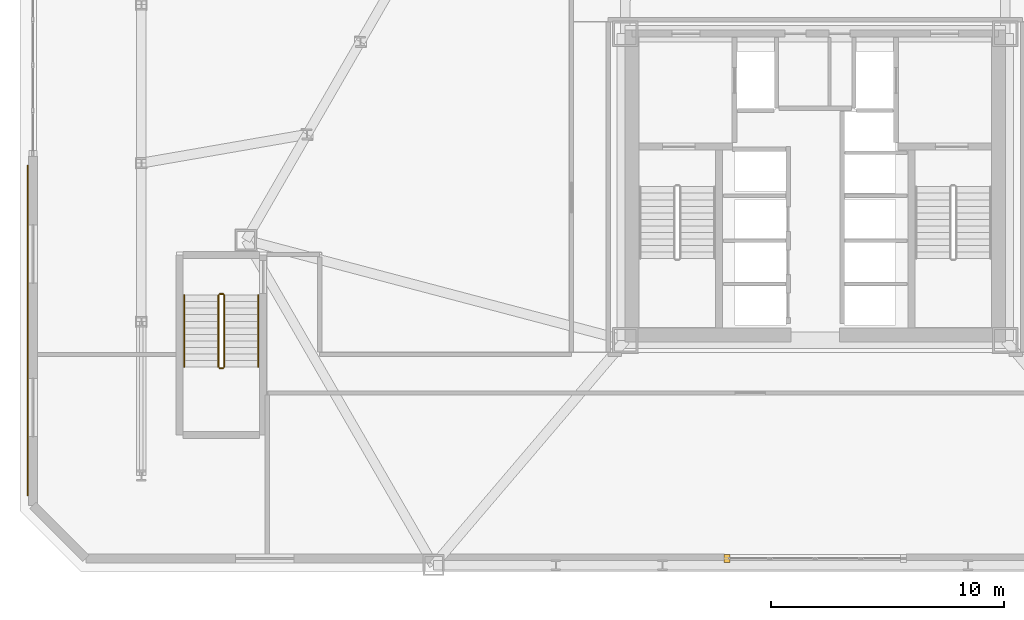
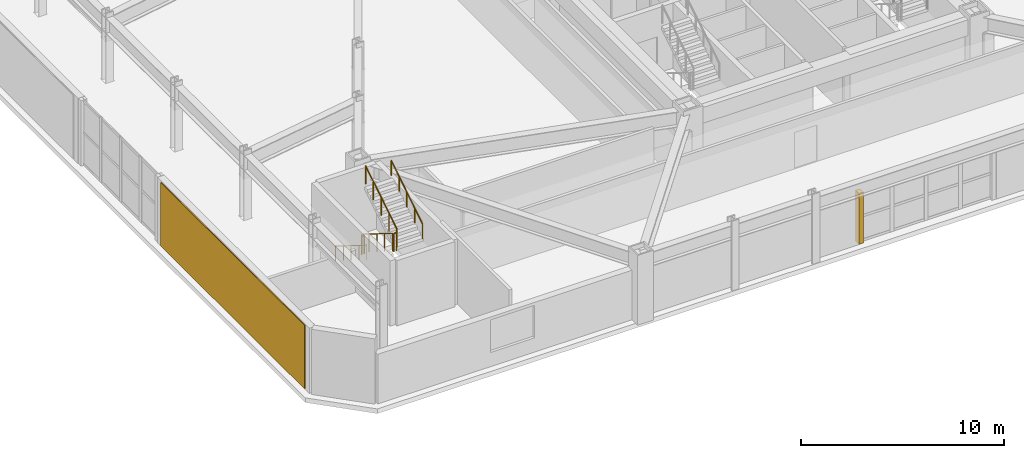
# One storey, part 17 of 22: 6 railings, 2 coverings.
"""IFC4 building model written with IfcOpenShell, lengths in metres."""

from ifc_helpers import new_model, si_unit, direction, frame, origin, origin_2d, place, context, subcontext, project, spatial, rectangle, circle, extrude, material, layer, layer_set, type_object, element, save


model = new_model("IFC4")

# Units and contexts
model_context = context("Model", 3, precision=1e-05, world=origin(), true_north=direction((0.0, 1.0)))
body_context = subcontext(model_context, "Body", "Model", "MODEL_VIEW")
ifc_project = project(units=[si_unit("LENGTHUNIT", "METRE"), si_unit("AREAUNIT", "SQUARE_METRE"), si_unit("VOLUMEUNIT", "CUBIC_METRE"), si_unit("PLANEANGLEUNIT", "RADIAN"), si_unit("MASSUNIT", "GRAM", prefix="KILO")], contexts=[model_context])

# Site, building, storey
site_placement = place(None, origin())
site = spatial("IfcSite", under=ifc_project, at=site_placement, CompositionType="ELEMENT")
building_placement = place(site_placement, origin())
building = spatial("IfcBuilding", under=site, at=building_placement, Name="Oramaril Tower", CompositionType="ELEMENT")
storey_placement = place(building_placement, frame((0.0, 0.0, 14.10009765625)))
storey = spatial("IfcBuildingStorey", under=building, at=storey_placement, Name="L03", CompositionType="ELEMENT", Elevation=14.10009765625)

# Coverings
ifc_material_1 = material(Name="Warm Cream Limestone", Category="masonry")
ifc_layer = layer(ifc_material_1, 0.050048828125)
ifc_layer_set = layer_set([ifc_layer], Name="CVT-CLD")
covering_type = type_object("IfcCoveringType", Name="CVT-CLD", PredefinedType="CLADDING", material=ifc_layer_set)
covering_1_placement = place(storey_placement, frame((33.719970703125, 1.64990234375, 0.0), z_axis=(0.0, 0.0, 1.0), x_axis=(1.0, 0.0, 0.0)))
element("IfcCovering", 1, at=covering_1_placement, inside=storey, type_object=covering_type, Name="L03 Curtain Wall Limestone Jamb Closure", PredefinedType="CLADDING", context=body_context, shape_type="SweptSolid", body=[
    extrude(rectangle(XDim=0.260009765625, YDim=0.340087890625, at=origin_2d()), origin(), (0.0, 0.0, 1.0), 3.053955078125),
])
covering_2_placement = place(storey_placement, frame((3.737060546875, 11.413818359375, 0.0498046875), z_axis=(0.0, 0.0, 1.0), x_axis=(0.0, -1.0, 0.0)))
element("IfcCovering", 2, at=covering_2_placement, inside=storey, type_object=covering_type, Name="L03 Warm Cream Limestone Cladding", PredefinedType="CLADDING", context=body_context, shape_type="SweptSolid", body=[
    extrude(rectangle(XDim=14.172119140625, YDim=0.050048828125, at=origin_2d()), origin(), (0.0, 0.0, 1.0), 3.820068359375),
])

# Railings
ifc_material_2 = material(Name="Stainless Steel 316L", Category="steel")
railing_type_1 = type_object("IfcRailingType", Name="RLT-GRD", PredefinedType="GUARDRAIL", material=ifc_material_2)
railing_1_placement = place(storey_placement, frame((11.909912109375, 12.93994140625, 0.1748046875)))
element("IfcRailing", 3, at=railing_1_placement, inside=storey, type_object=railing_type_1, Name="L03 ST-3 stair guard 1", PredefinedType="GUARDRAIL", context=body_context, shape_type="SweptSolid", body=[
    extrude(circle(Radius=0.02392578125, at=origin_2d()), frame((0.0, 0.0, 1.076171875), z_axis=(0.0, -0.847979421464, 0.530029150871), x_axis=(1.0, 0.0, 0.0)), (0.0, 0.0, 1.0), 3.632080078125),
    extrude(circle(Radius=0.02099609375, at=origin_2d()), origin(), (0.0, 0.0, 1.0), 1.052001953125),
    extrude(circle(Radius=0.02099609375, at=origin_2d()), frame((0.0, -0.77001953125, 0.481201171875)), (0.0, 0.0, 1.0), 1.052001953125),
    extrude(circle(Radius=0.02099609375, at=origin_2d()), frame((0.0, -1.5400390625, 0.96240234375)), (0.0, 0.0, 1.0), 1.052001953125),
    extrude(circle(Radius=0.02099609375, at=origin_2d()), frame((0.0, -2.309814453125, 1.44384765625)), (0.0, 0.0, 1.0), 1.052001953125),
    extrude(circle(Radius=0.02099609375, at=origin_2d()), frame((0.0, -3.079833984375, 1.925048828125)), (0.0, 0.0, 1.0), 1.052001953125),
])
railing_2_placement = place(storey_placement, frame((11.9599609375, 9.81005859375, 2.099853515625)))
element("IfcRailing", 4, at=railing_2_placement, inside=storey, type_object=railing_type_1, Name="L03 ST-3 stair guard 2", PredefinedType="GUARDRAIL", context=body_context, shape_type="SweptSolid", body=[
    extrude(circle(Radius=0.02392578125, at=origin_2d()), frame((0.0, 0.0, 1.076171875), z_axis=(1.0, 0.0, 0.0), x_axis=(0.0, 1.0, 0.0)), (0.0, 0.0, 1.0), 0.150146484375),
    extrude(circle(Radius=0.02099609375, at=origin_2d()), origin(), (0.0, 0.0, 1.0), 1.052001953125),
    extrude(circle(Radius=0.02099609375, at=origin_2d()), frame((0.150146484375, 0.0, 0.0)), (0.0, 0.0, 1.0), 1.052001953125),
])
railing_3_placement = place(storey_placement, frame((12.159912109375, 9.860107421875, 2.27490234375)))
element("IfcRailing", 5, at=railing_3_placement, inside=storey, type_object=railing_type_1, Name="L03 ST-3 stair guard 3", PredefinedType="GUARDRAIL", context=body_context, shape_type="SweptSolid", body=[
    extrude(circle(Radius=0.02392578125, at=origin_2d()), frame((0.0, 0.0, 1.076171875), z_axis=(0.0, 0.847979421464, 0.530029150871), x_axis=(-1.0, 0.0, 0.0)), (0.0, 0.0, 1.0), 3.632080078125),
    extrude(circle(Radius=0.02099609375, at=origin_2d()), origin(), (0.0, 0.0, 1.0), 1.052001953125),
    extrude(circle(Radius=0.02099609375, at=origin_2d()), frame((0.0, 0.77001953125, 0.481201171875)), (0.0, 0.0, 1.0), 1.052001953125),
    extrude(circle(Radius=0.02099609375, at=origin_2d()), frame((0.0, 1.5400390625, 0.96240234375)), (0.0, 0.0, 1.0), 1.052001953125),
    extrude(circle(Radius=0.02099609375, at=origin_2d()), frame((0.0, 2.309814453125, 1.44384765625)), (0.0, 0.0, 1.0), 1.052001953125),
    extrude(circle(Radius=0.02099609375, at=origin_2d()), frame((0.0, 3.079833984375, 1.925048828125)), (0.0, 0.0, 1.0), 1.052001953125),
])
railing_4_placement = place(storey_placement, frame((11.9599609375, 12.989990234375, 0.0)))
element("IfcRailing", 6, at=railing_4_placement, inside=storey, type_object=railing_type_1, Name="L03 ST-3 stair guard 4", PredefinedType="GUARDRAIL", context=body_context, shape_type="SweptSolid", body=[
    extrude(circle(Radius=0.02392578125, at=origin_2d()), frame((0.0, 0.0, 1.076171875), z_axis=(1.0, 0.0, 0.0), x_axis=(0.0, 1.0, 0.0)), (0.0, 0.0, 1.0), 0.150146484375),
    extrude(circle(Radius=0.02099609375, at=origin_2d()), origin(), (0.0, 0.0, 1.0), 1.052001953125),
    extrude(circle(Radius=0.02099609375, at=origin_2d()), frame((0.150146484375, 0.0, 0.0)), (0.0, 0.0, 1.0), 1.052001953125),
])
ifc_material_3 = material(Name="Stainless Steel 316L", Category="steel")
railing_type_2 = type_object("IfcRailingType", Name="RLT-HND", PredefinedType="HANDRAIL", material=ifc_material_3)
railing_5_placement = place(storey_placement, frame((10.449951171875, 12.93994140625, 0.1748046875)))
element("IfcRailing", 7, at=railing_5_placement, inside=storey, type_object=railing_type_2, Name="L03 ST-3 stair handrail 1", PredefinedType="HANDRAIL", context=body_context, shape_type="SweptSolid", body=[
    extrude(circle(Radius=0.02392578125, at=origin_2d()), frame((0.0, 0.0, 0.8759765625), z_axis=(0.0, -0.847979421464, 0.530029150871), x_axis=(1.0, 0.0, 0.0)), (0.0, 0.0, 1.0), 3.632080078125),
    extrude(circle(Radius=0.02099609375, at=origin_2d()), origin(), (0.0, 0.0, 1.0), 0.851806640625),
    extrude(circle(Radius=0.02099609375, at=origin_2d()), frame((0.0, -0.77001953125, 0.481201171875)), (0.0, 0.0, 1.0), 0.851806640625),
    extrude(circle(Radius=0.02099609375, at=origin_2d()), frame((0.0, -1.5400390625, 0.96240234375)), (0.0, 0.0, 1.0), 0.851806640625),
    extrude(circle(Radius=0.02099609375, at=origin_2d()), frame((0.0, -2.309814453125, 1.44384765625)), (0.0, 0.0, 1.0), 0.851806640625),
    extrude(circle(Radius=0.02099609375, at=origin_2d()), frame((0.0, -3.079833984375, 1.925048828125)), (0.0, 0.0, 1.0), 0.851806640625),
])
railing_6_placement = place(storey_placement, frame((13.6201171875, 9.860107421875, 2.27490234375)))
element("IfcRailing", 8, at=railing_6_placement, inside=storey, type_object=railing_type_2, Name="L03 ST-3 stair handrail 2", PredefinedType="HANDRAIL", context=body_context, shape_type="SweptSolid", body=[
    extrude(circle(Radius=0.02392578125, at=origin_2d()), frame((0.0, 0.0, 0.8759765625), z_axis=(0.0, 0.847979421464, 0.530029150871), x_axis=(-1.0, 0.0, 0.0)), (0.0, 0.0, 1.0), 3.632080078125),
    extrude(circle(Radius=0.02099609375, at=origin_2d()), origin(), (0.0, 0.0, 1.0), 0.851806640625),
    extrude(circle(Radius=0.02099609375, at=origin_2d()), frame((0.0, 0.77001953125, 0.481201171875)), (0.0, 0.0, 1.0), 0.851806640625),
    extrude(circle(Radius=0.02099609375, at=origin_2d()), frame((0.0, 1.5400390625, 0.96240234375)), (0.0, 0.0, 1.0), 0.851806640625),
    extrude(circle(Radius=0.02099609375, at=origin_2d()), frame((0.0, 2.309814453125, 1.44384765625)), (0.0, 0.0, 1.0), 0.851806640625),
    extrude(circle(Radius=0.02099609375, at=origin_2d()), frame((0.0, 3.079833984375, 1.925048828125)), (0.0, 0.0, 1.0), 0.851806640625),
])

save(model, "model.ifc")
